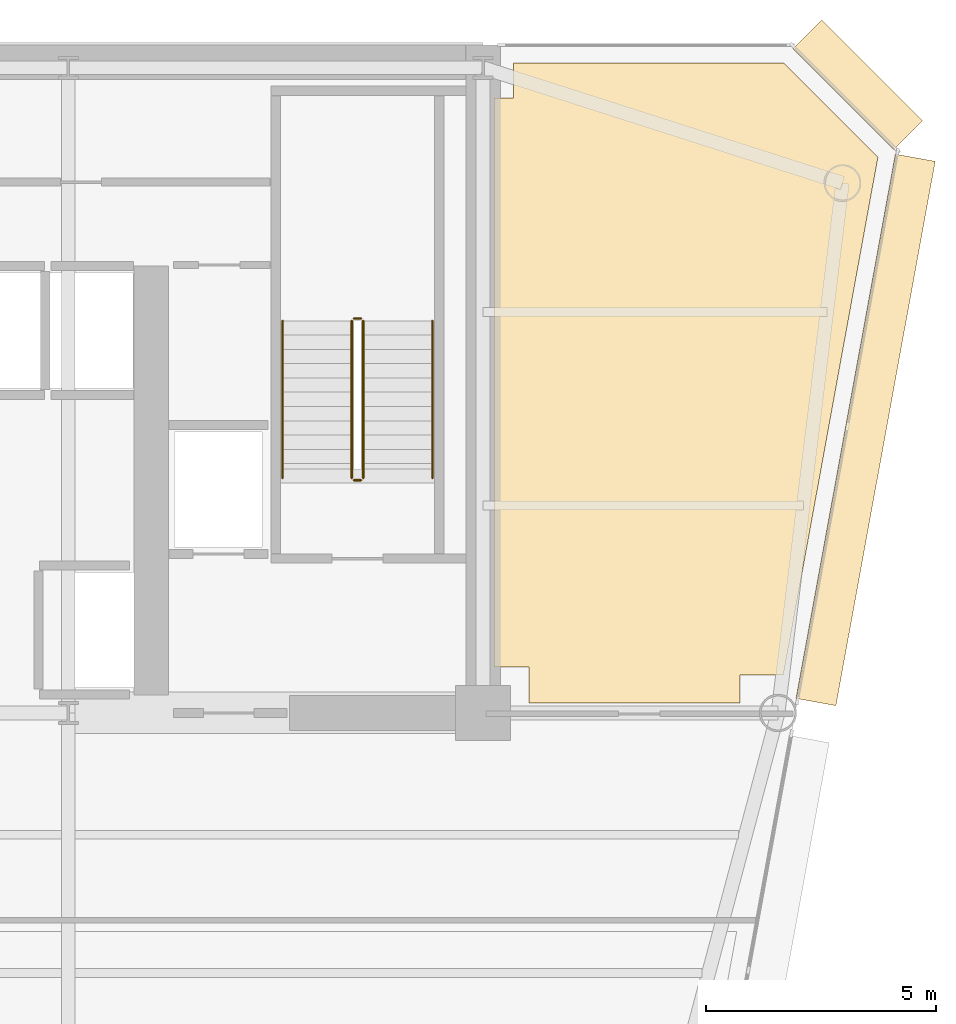
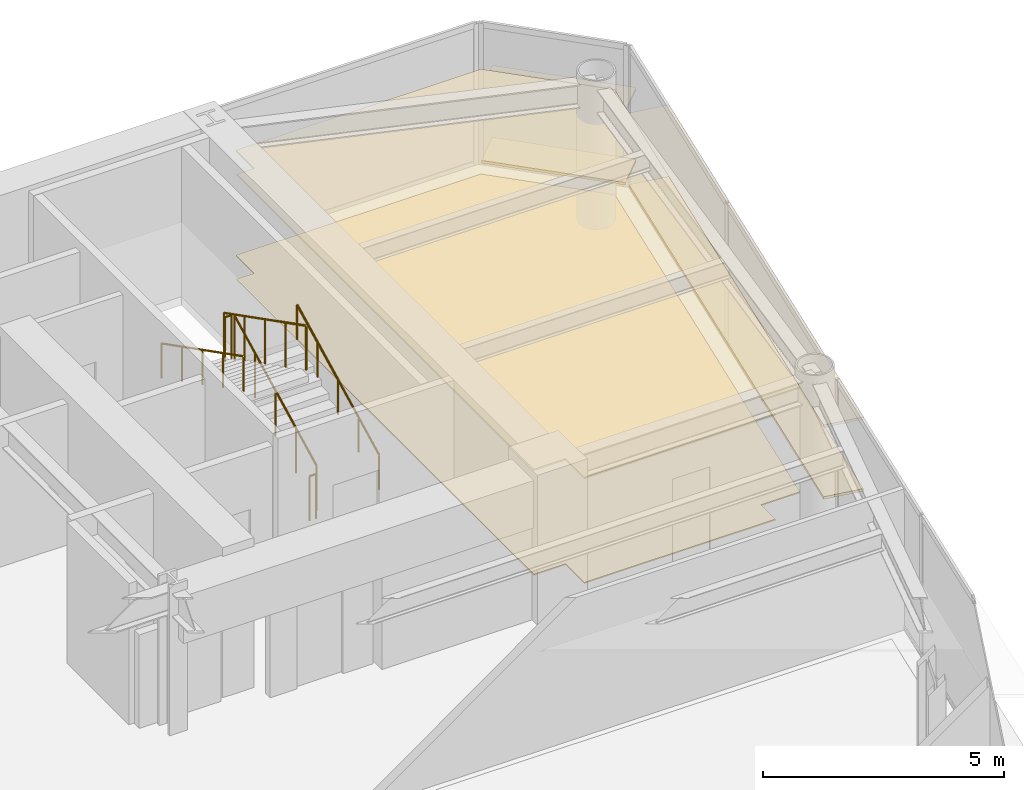
# One storey, part 17 of 17: 6 coverings, 6 railings.
"""IFC4 building model written with IfcOpenShell, lengths in metres."""

from ifc_helpers import new_model, si_unit, direction, frame, origin, origin_2d, place, context, subcontext, project, spatial, polyline, rectangle, circle, outline, extrude, source, transform, mapped, material, layer, layer_set, type_object, element, save


model = new_model("IFC4")

# Units and contexts
model_context = context("Model", 3, precision=1e-05, world=origin(), true_north=direction((0.0, 1.0)))
body_context = subcontext(model_context, "Body", "Model", "MODEL_VIEW")
ifc_project = project(units=[si_unit("LENGTHUNIT", "METRE"), si_unit("AREAUNIT", "SQUARE_METRE"), si_unit("VOLUMEUNIT", "CUBIC_METRE"), si_unit("PLANEANGLEUNIT", "RADIAN"), si_unit("MASSUNIT", "GRAM", prefix="KILO")], contexts=[model_context])

# Site, building, storey
site_placement = place(None, origin())
site = spatial("IfcSite", under=ifc_project, at=site_placement, CompositionType="ELEMENT")
building_placement = place(site_placement, origin())
building = spatial("IfcBuilding", under=site, at=building_placement, Name="Vaeldorn Concourse Tower", CompositionType="ELEMENT")
storey_placement = place(building_placement, frame((0.0, 0.0, 161.39990234375)))
storey = spatial("IfcBuildingStorey", under=building, at=storey_placement, Name="L41", CompositionType="ELEMENT", Elevation=161.39990234375)

# Coverings
ifc_material_1 = material(Name="Acoustic Mineral Fibre Board", Category="gypsum")
ifc_layer_1 = layer(ifc_material_1, 0.0400390625)
ifc_layer_set_1 = layer_set([ifc_layer_1], Name="Acoustic Mineral Fibre Board")
covering_type_1 = type_object("IfcCoveringType", Name="COV-CEIL-ACOUSTIC", PredefinedType="CEILING", material=ifc_layer_set_1)
covering_1_placement = place(storey_placement, frame((0.0, 0.0, 2.650146484375)))
element("IfcCovering", 1, at=covering_1_placement, inside=storey, type_object=covering_type_1, Name="Suspended Acoustic Ceiling L41-4", PredefinedType="CEILING", context=body_context, shape_type="SweptSolid", body=[
    extrude(outline(polyline([(54.659912109375, 49.840087890625), (54.659912109375, 50.60009765625), (60.5341796875, 50.60009765625), (62.56884765625, 48.5654296875), (60.517578125, 37.320068359375), (59.580078125, 37.320068359375), (59.580078125, 36.719970703125), (55.0, 36.719970703125), (55.0, 37.5), (54.239990234375, 37.5), (54.239990234375, 49.840087890625), (54.659912109375, 49.840087890625)])), origin(), (0.0, 0.0, 1.0), 0.0400390625),
])
ifc_material_2 = material(Name="Honed Limestone Terrazzo Flooring", Category="masonry")
ifc_layer_2 = layer(ifc_material_2, 0.0400390625)
ifc_layer_set_2 = layer_set([ifc_layer_2], Name="Honed Limestone Terrazzo Flooring")
covering_type_2 = type_object("IfcCoveringType", Name="COV-FLOOR-STONE", PredefinedType="FLOORING", material=ifc_layer_set_2)
covering_2_placement = place(storey_placement, origin())
element("IfcCovering", 2, at=covering_2_placement, inside=storey, type_object=covering_type_2, Name="Floor Finish Covering L41-4", PredefinedType="FLOORING", context=body_context, shape_type="SweptSolid", body=[
    extrude(outline(polyline([(54.659912109375, 49.840087890625), (54.659912109375, 50.60009765625), (60.5341796875, 50.60009765625), (62.56884765625, 48.5654296875), (60.517578125, 37.320068359375), (59.580078125, 37.320068359375), (59.580078125, 36.719970703125), (55.0, 36.719970703125), (55.0, 37.5), (54.239990234375, 37.5), (54.239990234375, 49.840087890625), (54.659912109375, 49.840087890625)])), origin(), (0.0, 0.0, 1.0), 0.030029296875),
])

# Railings
ifc_material_3 = material(Name="Anodised Bronze Aluminium", Category="aluminium")
railing_type_1 = type_object("IfcRailingType", Name="RL-STAIR-GUARD", PredefinedType="GUARDRAIL", material=ifc_material_3)
railing_1_placement = place(storey_placement, frame((51.39990234375, 41.60009765625, 0.158447265625)))
element("IfcRailing", 3, at=railing_1_placement, inside=storey, type_object=railing_type_1, Name="L41 ST-2 stair guard 1", PredefinedType="GUARDRAIL", context=body_context, shape_type="SweptSolid", body=[
    extrude(circle(Radius=0.02392578125, at=origin_2d()), frame((0.0, 0.0, 1.1259765625), z_axis=(0.0, 0.890555807335, 0.454873997962), x_axis=(-1.0, 0.0, 0.0)), (0.0, 0.0, 1.0), 3.828857421875),
    extrude(circle(Radius=0.02099609375, at=origin_2d()), origin(), (0.0, 0.0, 1.0), 1.101806640625),
    extrude(circle(Radius=0.02099609375, at=origin_2d()), frame((0.0, 0.8525390625, 0.435546875)), (0.0, 0.0, 1.0), 1.101806640625),
    extrude(circle(Radius=0.02099609375, at=origin_2d()), frame((0.0, 1.705078125, 0.870849609375)), (0.0, 0.0, 1.0), 1.101806640625),
    extrude(circle(Radius=0.02099609375, at=origin_2d()), frame((0.0, 2.557373046875, 1.30615234375)), (0.0, 0.0, 1.0), 1.101806640625),
    extrude(circle(Radius=0.02099609375, at=origin_2d()), frame((0.0, 3.409912109375, 1.74169921875)), (0.0, 0.0, 1.0), 1.101806640625),
])
railing_2_placement = place(storey_placement, frame((51.35009765625, 45.06005859375, 1.900146484375)))
element("IfcRailing", 4, at=railing_2_placement, inside=storey, type_object=railing_type_1, Name="L41 ST-2 stair guard 2", PredefinedType="GUARDRAIL", context=body_context, shape_type="SweptSolid", body=[
    extrude(circle(Radius=0.02392578125, at=origin_2d()), frame((0.0, 0.0, 1.1259765625), z_axis=(-1.0, 0.0, 0.0), x_axis=(0.0, -1.0, 0.0)), (0.0, 0.0, 1.0), 0.150146484375),
    extrude(circle(Radius=0.02099609375, at=origin_2d()), origin(), (0.0, 0.0, 1.0), 1.101806640625),
    extrude(circle(Radius=0.02099609375, at=origin_2d()), frame((-0.150146484375, 0.0, 0.0)), (0.0, 0.0, 1.0), 1.101806640625),
])
railing_3_placement = place(storey_placement, frame((51.14990234375, 45.010009765625, 2.058349609375)))
element("IfcRailing", 5, at=railing_3_placement, inside=storey, type_object=railing_type_1, Name="L41 ST-2 stair guard 3", PredefinedType="GUARDRAIL", context=body_context, shape_type="SweptSolid", body=[
    extrude(circle(Radius=0.02392578125, at=origin_2d()), frame((0.0, 0.0, 1.1259765625), z_axis=(0.0, -0.890555807335, 0.454873997962), x_axis=(1.0, 0.0, 0.0)), (0.0, 0.0, 1.0), 3.828857421875),
    extrude(circle(Radius=0.02099609375, at=origin_2d()), origin(), (0.0, 0.0, 1.0), 1.101806640625),
    extrude(circle(Radius=0.02099609375, at=origin_2d()), frame((0.0, -0.8525390625, 0.435546875)), (0.0, 0.0, 1.0), 1.101806640625),
    extrude(circle(Radius=0.02099609375, at=origin_2d()), frame((0.0, -1.705078125, 0.870849609375)), (0.0, 0.0, 1.0), 1.101806640625),
    extrude(circle(Radius=0.02099609375, at=origin_2d()), frame((0.0, -2.557373046875, 1.30615234375)), (0.0, 0.0, 1.0), 1.101806640625),
    extrude(circle(Radius=0.02099609375, at=origin_2d()), frame((0.0, -3.409912109375, 1.74169921875)), (0.0, 0.0, 1.0), 1.101806640625),
])
railing_4_placement = place(storey_placement, frame((51.35009765625, 41.550048828125, 0.0)))
element("IfcRailing", 6, at=railing_4_placement, inside=storey, type_object=railing_type_1, Name="L41 ST-2 stair guard 4", PredefinedType="GUARDRAIL", context=body_context, shape_type="SweptSolid", body=[
    extrude(circle(Radius=0.02392578125, at=origin_2d()), frame((0.0, 0.0, 1.1259765625), z_axis=(-1.0, 0.0, 0.0), x_axis=(0.0, -1.0, 0.0)), (0.0, 0.0, 1.0), 0.150146484375),
    extrude(circle(Radius=0.02099609375, at=origin_2d()), origin(), (0.0, 0.0, 1.0), 1.101806640625),
    extrude(circle(Radius=0.02099609375, at=origin_2d()), frame((-0.150146484375, 0.0, 0.0)), (0.0, 0.0, 1.0), 1.101806640625),
])
railing_type_2 = type_object("IfcRailingType", Name="RL-STAIR-HANDRAIL", PredefinedType="HANDRAIL", material=ifc_material_3)
railing_5_placement = place(storey_placement, frame((52.89990234375, 41.60009765625, 0.158447265625)))
element("IfcRailing", 7, at=railing_5_placement, inside=storey, type_object=railing_type_2, Name="L41 ST-2 stair handrail 1", PredefinedType="HANDRAIL", context=body_context, shape_type="SweptSolid", body=[
    extrude(circle(Radius=0.02392578125, at=origin_2d()), frame((0.0, 0.0, 0.8759765625), z_axis=(0.0, 0.890555807335, 0.454873997962), x_axis=(-1.0, 0.0, 0.0)), (0.0, 0.0, 1.0), 3.828857421875),
    extrude(circle(Radius=0.02099609375, at=origin_2d()), origin(), (0.0, 0.0, 1.0), 0.851806640625),
    extrude(circle(Radius=0.02099609375, at=origin_2d()), frame((0.0, 0.8525390625, 0.435546875)), (0.0, 0.0, 1.0), 0.851806640625),
    extrude(circle(Radius=0.02099609375, at=origin_2d()), frame((0.0, 1.705078125, 0.870849609375)), (0.0, 0.0, 1.0), 0.851806640625),
    extrude(circle(Radius=0.02099609375, at=origin_2d()), frame((0.0, 2.557373046875, 1.30615234375)), (0.0, 0.0, 1.0), 0.851806640625),
    extrude(circle(Radius=0.02099609375, at=origin_2d()), frame((0.0, 3.409912109375, 1.74169921875)), (0.0, 0.0, 1.0), 0.851806640625),
])
railing_6_placement = place(storey_placement, frame((49.64990234375, 45.010009765625, 2.058349609375)))
element("IfcRailing", 8, at=railing_6_placement, inside=storey, type_object=railing_type_2, Name="L41 ST-2 stair handrail 2", PredefinedType="HANDRAIL", context=body_context, shape_type="SweptSolid", body=[
    extrude(circle(Radius=0.02392578125, at=origin_2d()), frame((0.0, 0.0, 0.8759765625), z_axis=(0.0, -0.890555807335, 0.454873997962), x_axis=(1.0, 0.0, 0.0)), (0.0, 0.0, 1.0), 3.828857421875),
    extrude(circle(Radius=0.02099609375, at=origin_2d()), origin(), (0.0, 0.0, 1.0), 0.851806640625),
    extrude(circle(Radius=0.02099609375, at=origin_2d()), frame((0.0, -0.8525390625, 0.435546875)), (0.0, 0.0, 1.0), 0.851806640625),
    extrude(circle(Radius=0.02099609375, at=origin_2d()), frame((0.0, -1.705078125, 0.870849609375)), (0.0, 0.0, 1.0), 0.851806640625),
    extrude(circle(Radius=0.02099609375, at=origin_2d()), frame((0.0, -2.557373046875, 1.30615234375)), (0.0, 0.0, 1.0), 0.851806640625),
    extrude(circle(Radius=0.02099609375, at=origin_2d()), frame((0.0, -3.409912109375, 1.74169921875)), (0.0, 0.0, 1.0), 0.851806640625),
])

# Coverings
ifc_layer_3 = layer(ifc_material_3, 0.06494140625)
ifc_layer_set_3 = layer_set([ifc_layer_3], Name="Anodised Bronze Aluminium")
covering_type_3 = type_object("IfcCoveringType", Name="SD-BRONZE-SUNSHADE", PredefinedType="USERDEFINED", material=ifc_layer_set_3)
shared_shape_1 = source(origin(), body_context, "Body", "SweptSolid", [
    extrude(rectangle(XDim=3.0927734375, YDim=0.8798828125, at=origin_2d()), origin(), (0.0, 0.0, 1.0), 0.06494140625),
])
for number, where, z_axis, x_axis, name in (
    (9, (62.1328125, 50.1328125, 0.047607421875), (0.0, 0.0, 1.0), (-0.707106781187, 0.707106781187, 0.0), "Horizontal Bronze Sunshade L41-E08.1.1"),
    (10, (62.1328125, 50.1328125, 1.86767578125), (0.0, 0.0, 1.0), (-0.707106781187, 0.707106781187, 0.0), "Horizontal Bronze Sunshade L41-E08.1.2"),
):
    element("IfcCovering", number, at=place(storey_placement, frame(where, z_axis=z_axis, x_axis=x_axis)), inside=storey, type_object=covering_type_3, Name=name, ObjectType="SUNSHADE", PredefinedType="USERDEFINED", context=body_context, shape_type="MappedRepresentation", body=[
        mapped(shared_shape_1, transform((0.0, 0.0, 0.0), scale=1.0)),
    ])
shared_shape_2 = source(origin(), body_context, "Body", "SweptSolid", [
    extrude(rectangle(XDim=12.0078125, YDim=0.8798828125, at=origin_2d()), origin(), (0.0, 0.0, 1.0), 0.06494140625),
])
for number, where, z_axis, x_axis, name in (
    (11, (62.3017578125, 42.64306640625, 0.047607421875), (0.0, 0.0, 1.0), (0.179454713012, 0.983766235433, 0.0), "Horizontal Bronze Sunshade L41-E07.2.1"),
    (12, (62.3017578125, 42.64306640625, 1.86767578125), (0.0, 0.0, 1.0), (0.179454713012, 0.983766235433, 0.0), "Horizontal Bronze Sunshade L41-E07.2.2"),
):
    element("IfcCovering", number, at=place(storey_placement, frame(where, z_axis=z_axis, x_axis=x_axis)), inside=storey, type_object=covering_type_3, Name=name, ObjectType="SUNSHADE", PredefinedType="USERDEFINED", context=body_context, shape_type="MappedRepresentation", body=[
        mapped(shared_shape_2, transform((0.0, 0.0, 0.0), scale=1.0)),
    ])

save(model, "model.ifc")
